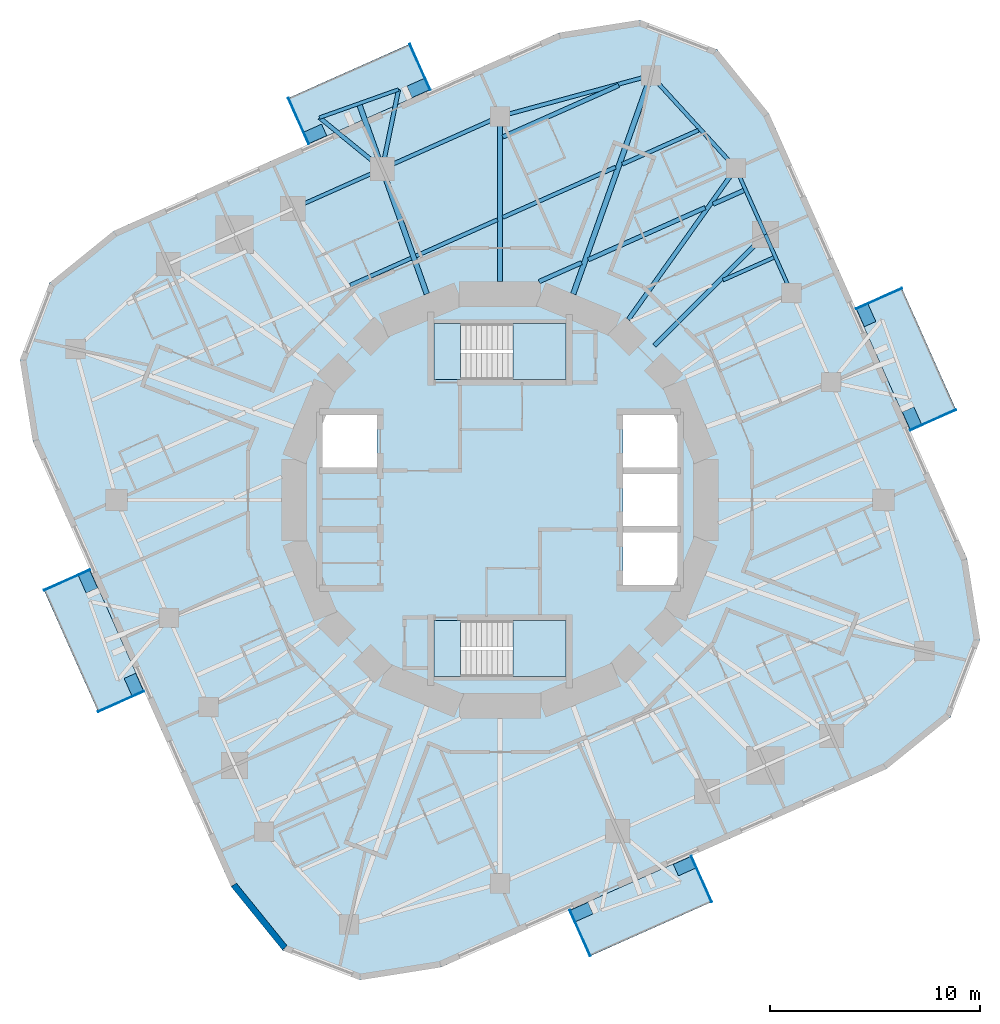
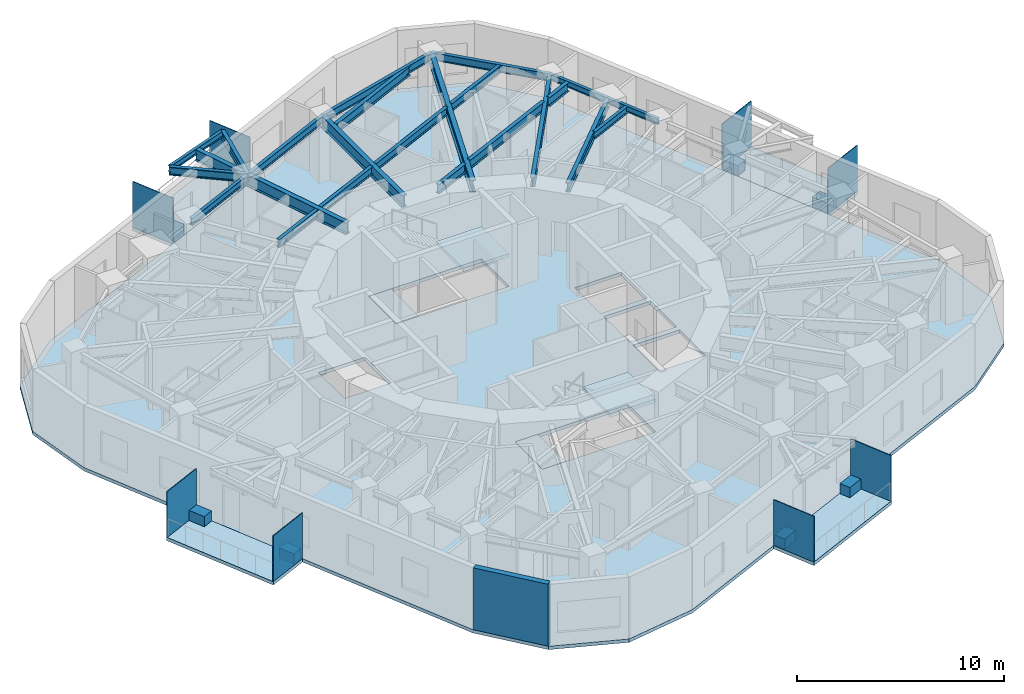
# One storey, part 3 of 12: 23 beams, 16 plates, 9 slabs, 1 wall, 2 elements without a shape of their own.
"""IFC4 building model written with IfcOpenShell, lengths in metres."""

import ifcopenshell
import ifcopenshell.guid

model = None  # the IFC model being written
_history = None  # IfcOwnerHistory: only IFC2X3 demands one
_inside = {}  # id of a spatial element -> (the spatial element, [elements in it])
_under = {}  # id of a project, library or spatial element -> (it, [spatial elements below it])
_declared = {}  # id of a project -> (the project, [libraries it declares])
_typed = {}  # id of a type object -> (the type object, [elements of that type])
_made_of = {}  # id of a material, layer set ... -> (it, [elements and type objects made of it])


def new_model(schema):
    """Start an empty IFC model of exactly this schema.

    Asked for "IFC4X3", IfcOpenShell would pick the latest addendum, in which some entities
    have other attributes; the version numbers below select the first issue.
    IFC2X3 requires an IfcOwnerHistory on every rooted entity: one is made here for all.
    """
    global model, _history
    if schema == "IFC4X3":
        model = ifcopenshell.file(schema_version=(4, 3, 0, 0))
    else:
        model = ifcopenshell.file(schema=schema)
    _inside.clear()
    _under.clear()
    _declared.clear()
    _typed.clear()
    _made_of.clear()
    _history = None
    if model.schema == "IFC2X3":
        org = make("IfcOrganization", Name="unknown")
        user = make(
            "IfcPersonAndOrganization",
            ThePerson=make("IfcPerson", FamilyName="unknown"),
            TheOrganization=org,
        )
        app = make(
            "IfcApplication",
            ApplicationDeveloper=org,
            Version="unknown",
            ApplicationFullName="unknown",
            ApplicationIdentifier="unknown",
        )
        _history = make(
            "IfcOwnerHistory",
            OwningUser=user,
            OwningApplication=app,
            ChangeAction="ADDED",
            CreationDate=0,
        )
    return model


def make(cls, **values):
    """One entity of the class cls with the attributes given. An attribute that is None is left unset."""
    return model.create_entity(
        cls, **{name: value for name, value in values.items() if value is not None}
    )


def rooted(cls, **values):
    """An entity with a GlobalId (a new one), such as an element, a storey or a relation."""
    return make(cls, GlobalId=ifcopenshell.guid.new(), OwnerHistory=_history, **values)


def si_unit(unit_type, name, prefix=None):
    """IfcSIUnit, for example si_unit("LENGTHUNIT", "METRE", prefix="MILLI")."""
    return make("IfcSIUnit", UnitType=unit_type, Prefix=prefix, Name=name)


def assignment(units):
    """IfcUnitAssignment: the units of a project."""
    return None if units is None else make("IfcUnitAssignment", Units=units)


def point(xyz):
    """IfcCartesianPoint."""
    return None if xyz is None else make("IfcCartesianPoint", Coordinates=xyz)


def direction(xyz):
    """IfcDirection."""
    return None if xyz is None else make("IfcDirection", DirectionRatios=xyz)


def frame(location, z_axis=None, x_axis=None):
    """IfcAxis2Placement3D, a coordinate frame: its origin and axes. An axis left out is left unset."""
    return make(
        "IfcAxis2Placement3D",
        Location=point(location),
        Axis=direction(z_axis),
        RefDirection=direction(x_axis),
    )


def frame_2d(location, x_axis=None):
    """IfcAxis2Placement2D, a coordinate frame in the plane: its origin and x axis."""
    return make(
        "IfcAxis2Placement2D", Location=point(location), RefDirection=direction(x_axis)
    )


def origin():
    """The frame at (0, 0, 0) with its axes left unset."""
    return frame((0.0, 0.0, 0.0))


def origin_2d():
    """The frame at (0, 0) in the plane with its x axis left unset."""
    return frame_2d((0.0, 0.0))


def place(relative_to, where):
    """IfcLocalPlacement: puts the frame where relative to a parent placement (None: the world)."""
    return make(
        "IfcLocalPlacement", PlacementRelTo=relative_to, RelativePlacement=where
    )


def context(
    kind, dimensions, precision=None, world=None, true_north=None, identifier=None
):
    """IfcGeometricRepresentationContext, for example the 3D "Model" context."""
    return make(
        "IfcGeometricRepresentationContext",
        ContextIdentifier=identifier,
        ContextType=kind,
        CoordinateSpaceDimension=dimensions,
        Precision=precision,
        WorldCoordinateSystem=world,
        TrueNorth=true_north,
    )


def subcontext(parent, identifier, kind, view, scale=None):
    """IfcGeometricRepresentationSubContext, for example "Body" below "Model"."""
    return make(
        "IfcGeometricRepresentationSubContext",
        ContextIdentifier=identifier,
        ContextType=kind,
        ParentContext=parent,
        TargetScale=scale,
        TargetView=view,
    )


def project(units=None, contexts=None):
    """IfcProject with its units and contexts."""
    return rooted(
        "IfcProject",
        Name="project",
        RepresentationContexts=contexts,
        UnitsInContext=assignment(units),
    )


def spatial(cls, under=None, at=None, **own):
    """A site, building, storey or space (cls), placed at a placement, below another one or the project."""
    s = rooted(cls, ObjectPlacement=at, **own)
    if under is not None:
        _under.setdefault(under.id(), (under, []))[1].append(s)
    return s


def polyline(points):
    """IfcPolyline through the points."""
    return make("IfcPolyline", Points=[point(p) for p in points])


def profile(cls, at=None, kind="AREA", **sizes):
    """A parametric profile (cls). Its sizes go by their IFC names, for example OverallWidth=200.0."""
    return make(cls, ProfileType=kind, Position=at, **sizes)


def rectangle(**sizes):
    """IfcRectangleProfileDef."""
    return profile("IfcRectangleProfileDef", **sizes)


def i_section(**sizes):
    """IfcIShapeProfileDef."""
    return profile("IfcIShapeProfileDef", **sizes)


def outline(outer, holes=None, kind="AREA"):
    """IfcArbitraryClosedProfileDef: a profile drawn as a closed curve; with holes, ...WithVoids."""
    if holes is None:
        return make("IfcArbitraryClosedProfileDef", ProfileType=kind, OuterCurve=outer)
    return make(
        "IfcArbitraryProfileDefWithVoids",
        ProfileType=kind,
        OuterCurve=outer,
        InnerCurves=holes,
    )


def extrude(swept, where, along, depth):
    """IfcExtrudedAreaSolid: the profile swept, set in the frame where, extruded along a direction by depth."""
    return make(
        "IfcExtrudedAreaSolid",
        SweptArea=swept,
        Position=where,
        ExtrudedDirection=direction(along),
        Depth=depth,
    )


def shape(context_of_items, identifier, shape_type, items):
    """IfcShapeRepresentation: the items that make up one representation, for example the "Body"."""
    return make(
        "IfcShapeRepresentation",
        ContextOfItems=context_of_items,
        RepresentationIdentifier=identifier,
        RepresentationType=shape_type,
        Items=items,
    )


def material(Name=None, Category=None):
    """IfcMaterial."""
    return make("IfcMaterial", Name=Name, Category=Category)


def layer(
    of_material, thickness, ventilated=None, Name=None, Category=None, Priority=None
):
    """IfcMaterialLayer: one layer of a wall or slab, of a material (None: an air gap)."""
    return make(
        "IfcMaterialLayer",
        Material=of_material,
        LayerThickness=thickness,
        IsVentilated=ventilated,
        Name=Name,
        Category=Category,
        Priority=Priority,
    )


def layer_set(layers, Name=None):
    """IfcMaterialLayerSet."""
    return make("IfcMaterialLayerSet", MaterialLayers=layers, LayerSetName=Name)


def material_profile(
    of_material, cross_section, Name=None, Category=None, Priority=None
):
    """IfcMaterialProfile: a cross section and its material."""
    return make(
        "IfcMaterialProfile",
        Name=Name,
        Material=of_material,
        Profile=cross_section,
        Priority=Priority,
        Category=Category,
    )


def profile_set(profiles, Name=None, composite=None):
    """IfcMaterialProfileSet."""
    return make(
        "IfcMaterialProfileSet",
        Name=Name,
        MaterialProfiles=profiles,
        CompositeProfile=composite,
    )


def made_of(thing, what):
    """Note that an element or type object is made of a material, layer set ...; save() writes the relation."""
    if what is not None:
        _made_of.setdefault(what.id(), (what, []))[1].append(thing)
    return thing


def type_object(cls, material=None, **own):
    """A type object (cls), such as IfcWallType, which elements share."""
    return made_of(rooted(cls, **own), material)


def element(
    cls,
    number,
    at=None,
    inside=None,
    cuts=None,
    type_object=None,
    material=None,
    context=None,
    identifier="Body",
    shape_type=None,
    held_by="IfcProductDefinitionShape",
    body=None,
    shapes=None,
    **own,
):
    """One element of the class cls, such as IfcWall. Its Tag is "e" and its number.

    at: its placement. inside: the storey or other place that contains it. cuts: it is an
    opening in that element (IfcRelVoidsElement). A single representation is given by context,
    identifier, shape_type and body (its items); several are given by shapes. held_by: the class
    of the entity that holds the representations. save() writes the other relations.
    """
    e = rooted(cls, Tag="e%d" % number, ObjectPlacement=at, **own)
    if body is not None:
        shapes = [shape(context, identifier, shape_type, body)]
    if shapes is not None:
        e.Representation = make(held_by, Representations=shapes)
    if inside is not None:
        _inside.setdefault(inside.id(), (inside, []))[1].append(e)
    if cuts is not None:
        rooted(
            "IfcRelVoidsElement", RelatingBuildingElement=cuts, RelatedOpeningElement=e
        )
    if type_object is not None:
        _typed.setdefault(type_object.id(), (type_object, []))[1].append(e)
    return made_of(e, material)


def aggregate(whole, parts):
    """IfcRelAggregates: a whole, such as a stair, and the parts it consists of."""
    return rooted("IfcRelAggregates", RelatingObject=whole, RelatedObjects=parts)


def save(model, path):
    """Write the relations noted so far, then the file.

    IfcRelAggregates (storeys below a building ...), IfcRelContainedInSpatialStructure (elements
    in a storey), IfcRelDefinesByType, IfcRelAssociatesMaterial and IfcRelDeclares: one each for
    every whole, place, type object, material and project.
    """
    for whole, parts in _under.values():
        aggregate(whole, parts)
    for where, things in _inside.values():
        rooted(
            "IfcRelContainedInSpatialStructure",
            RelatedElements=things,
            RelatingStructure=where,
        )
    for kind, things in _typed.values():
        rooted("IfcRelDefinesByType", RelatedObjects=things, RelatingType=kind)
    for what, things in _made_of.values():
        rooted("IfcRelAssociatesMaterial", RelatedObjects=things, RelatingMaterial=what)
    for by, libraries in _declared.values():
        rooted("IfcRelDeclares", RelatingContext=by, RelatedDefinitions=libraries)
    model.write(path)


model = new_model("IFC4")

# Units and contexts
model_context = context("Model", 3, precision=1e-05, world=origin(), true_north=direction((0.0, 1.0)))
body_context = subcontext(model_context, "Body", "Model", "MODEL_VIEW")
ifc_project = project(units=[si_unit("LENGTHUNIT", "METRE"), si_unit("AREAUNIT", "SQUARE_METRE"), si_unit("VOLUMEUNIT", "CUBIC_METRE"), si_unit("PLANEANGLEUNIT", "RADIAN"), si_unit("MASSUNIT", "GRAM", prefix="KILO")], contexts=[model_context])

# Site, building, storey
site_placement = place(None, origin())
site = spatial("IfcSite", under=ifc_project, at=site_placement, CompositionType="ELEMENT")
building_placement = place(site_placement, origin())
building = spatial("IfcBuilding", under=site, at=building_placement, Name="Nakasero Lantern House", CompositionType="ELEMENT")
storey_placement = place(building_placement, frame((0.0, 0.0, 205.550048828125)))
storey = spatial("IfcBuildingStorey", under=building, at=storey_placement, Name="L50", CompositionType="ELEMENT", Elevation=205.550048828125)

# Beams
ifc_material_1 = material(Name="Steel S355", Category="steel")
ifc_material_profile_1 = material_profile(ifc_material_1, i_section(OverallWidth=0.199462890625, OverallDepth=0.491943359375, WebThickness=0.01806640625, FlangeThickness=0.031982421875, FilletRadius=0.01025390625, at=origin_2d()), Name="UB 457x191x161")
ifc_profile_set_1 = profile_set([ifc_material_profile_1], Name="Steel S355")
beam_type_1 = type_object("IfcBeamType", Name="Balcony splay beam UB 457x191x161", PredefinedType="BEAM", material=ifc_profile_set_1)
beam_1_placement = place(storey_placement, frame((-5.611328125, 15.781982421875, 3.404052734375), z_axis=(-0.774833215206, 0.632165712937, 0.0), x_axis=(-0.632165712937, -0.774833215206, 0.0)))
element("IfcBeam", 1, at=beam_1_placement, inside=storey, type_object=beam_type_1, Name="Balcony splay beam L51 B5-C10A", PredefinedType="BEAM", context=body_context, shape_type="SweptSolid", body=[
    extrude(i_section(OverallWidth=0.199462890625, OverallDepth=0.491943359375, WebThickness=0.01806640625, FlangeThickness=0.031982421875, FilletRadius=0.01025390625, at=origin_2d()), origin(), (0.0, 0.0, 1.0), 3.85888671875),
])
beam_2_placement = place(storey_placement, frame((-5.611328125, 15.781982421875, 3.404052734375), z_axis=(0.201831438605, 0.979420272605, 0.0), x_axis=(-0.979420272605, 0.201831438605, 0.0)))
element("IfcBeam", 2, at=beam_2_placement, inside=storey, type_object=beam_type_1, Name="Balcony splay beam L51 B5-C10B", PredefinedType="BEAM", context=body_context, shape_type="SweptSolid", body=[
    extrude(i_section(OverallWidth=0.199462890625, OverallDepth=0.491943359375, WebThickness=0.01806640625, FlangeThickness=0.031982421875, FilletRadius=0.01025390625, at=origin_2d()), origin(), (0.0, 0.0, 1.0), 3.858642578125),
])
ifc_material_2 = material(Name="Steel S355", Category="steel")
ifc_material_profile_2 = material_profile(ifc_material_2, i_section(OverallWidth=0.17138671875, OverallDepth=0.35498046875, WebThickness=0.00732421875, FlangeThickness=0.011474609375, FilletRadius=0.01025390625, at=origin_2d()), Name="UB 356x171x51")
ifc_profile_set_2 = profile_set([ifc_material_profile_2], Name="Steel S355")
beam_type_2 = type_object("IfcBeamType", Name="Balcony tie beam UB 356x171x51", PredefinedType="BEAM", material=ifc_profile_set_2)
beam_3_placement = place(storey_placement, frame((-8.601318359375, 18.221435546875, 3.472412109375), z_axis=(0.94222839004, 0.334971134582, 0.0), x_axis=(-0.334971134582, 0.94222839004, 0.0)))
element("IfcBeam", 3, at=beam_3_placement, inside=storey, type_object=beam_type_2, Name="Balcony tie beam L51 B5-C10", PredefinedType="BEAM", context=body_context, shape_type="SweptSolid", body=[
    extrude(i_section(OverallWidth=0.17138671875, OverallDepth=0.35498046875, WebThickness=0.00732421875, FlangeThickness=0.011474609375, FilletRadius=0.01025390625, at=origin_2d()), origin(), (0.0, 0.0, 1.0), 4.0),
])
ifc_material_3 = material(Name="Steel S355", Category="steel")
ifc_material_profile_3 = material_profile(ifc_material_3, i_section(OverallWidth=0.177978515625, OverallDepth=0.406494140625, WebThickness=0.0078125, FlangeThickness=0.0126953125, FilletRadius=0.01025390625, at=origin_2d()), Name="UB 406x178x60")
ifc_profile_set_3 = profile_set([ifc_material_profile_3], Name="Steel S355")
beam_type_3 = type_object("IfcBeamType", Name="Infill beam UB 406x178x60", PredefinedType="JOIST", material=ifc_profile_set_3)
beam_4_placement = place(storey_placement, frame((10.626708984375, 10.47802734375, 3.44677734375), z_axis=(0.913529602849, 0.406772251658, 0.0), x_axis=(-0.406772251658, 0.913529602849, 0.0)))
element("IfcBeam", 4, at=beam_4_placement, inside=storey, type_object=beam_type_3, Name="Infill beam L51 09.4", PredefinedType="JOIST", context=body_context, shape_type="SweptSolid", body=[
    extrude(i_section(OverallWidth=0.177978515625, OverallDepth=0.406494140625, WebThickness=0.0078125, FlangeThickness=0.0126953125, FilletRadius=0.01025390625, at=origin_2d()), origin(), (0.0, 0.0, 1.0), 2.64453125),
])
ifc_material_4 = material(Name="Steel S355", Category="steel")
ifc_material_profile_4 = material_profile(ifc_material_4, i_section(OverallWidth=0.18994140625, OverallDepth=0.453369140625, WebThickness=0.008544921875, FlangeThickness=0.0126953125, FilletRadius=0.01025390625, at=origin_2d()), Name="UB 457x191x67")
ifc_profile_set_4 = profile_set([ifc_material_profile_4], Name="Steel S355")
beam_type_4 = type_object("IfcBeamType", Name="Infill beam UB 457x191x67", PredefinedType="JOIST", material=ifc_profile_set_4)
beam_5_placement = place(storey_placement, frame((-7.1357421875, 10.232177734375, 3.42333984375), z_axis=(0.913535738899, 0.406758471029, 0.0), x_axis=(-0.406758471029, 0.913535738899, 0.0)))
element("IfcBeam", 5, at=beam_5_placement, inside=storey, type_object=beam_type_4, Name="Infill beam L51 11.5", PredefinedType="JOIST", context=body_context, shape_type="SweptSolid", body=[
    extrude(i_section(OverallWidth=0.18994140625, OverallDepth=0.453369140625, WebThickness=0.008544921875, FlangeThickness=0.0126953125, FilletRadius=0.01025390625, at=origin_2d()), origin(), (0.0, 0.0, 1.0), 3.17822265625),
])
beam_6_placement = place(storey_placement, frame((-4.0, 11.62841796875, 3.42333984375), z_axis=(0.913547765637, 0.406731459196, 0.0), x_axis=(-0.406731459196, 0.913547765637, 0.0)))
element("IfcBeam", 6, at=beam_6_placement, inside=storey, type_object=beam_type_4, Name="Infill beam L51 11.6", PredefinedType="JOIST", context=body_context, shape_type="SweptSolid", body=[
    extrude(i_section(OverallWidth=0.18994140625, OverallDepth=0.453369140625, WebThickness=0.008544921875, FlangeThickness=0.0126953125, FilletRadius=0.01025390625, at=origin_2d()), origin(), (0.0, 0.0, 1.0), 4.239501953125),
])
beam_7_placement = place(storey_placement, frame((0.126953125, 13.4658203125, 3.42333984375), z_axis=(0.913539401307, 0.406750245556, 0.0), x_axis=(-0.406750245556, 0.913539401307, 0.0)))
element("IfcBeam", 7, at=beam_7_placement, inside=storey, type_object=beam_type_4, Name="Infill beam L51 11.7", PredefinedType="JOIST", context=body_context, shape_type="SweptSolid", body=[
    extrude(i_section(OverallWidth=0.18994140625, OverallDepth=0.453369140625, WebThickness=0.008544921875, FlangeThickness=0.0126953125, FilletRadius=0.01025390625, at=origin_2d()), origin(), (0.0, 0.0, 1.0), 5.886474609375),
])
beam_8_placement = place(storey_placement, frame((5.824462890625, 16.00244140625, 3.42333984375), z_axis=(0.91354552237, 0.406736497695, 0.0), x_axis=(-0.406736497695, 0.91354552237, 0.0)))
element("IfcBeam", 8, at=beam_8_placement, inside=storey, type_object=beam_type_4, Name="Infill beam L51 11.8", PredefinedType="JOIST", context=body_context, shape_type="SweptSolid", body=[
    extrude(i_section(OverallWidth=0.18994140625, OverallDepth=0.453369140625, WebThickness=0.008544921875, FlangeThickness=0.0126953125, FilletRadius=0.01025390625, at=origin_2d()), origin(), (0.0, 0.0, 1.0), 3.9765625),
])
ifc_material_5 = material(Name="Steel S355", Category="steel")
ifc_material_profile_5 = material_profile(ifc_material_5, i_section(OverallWidth=0.2099609375, OverallDepth=0.53662109375, WebThickness=0.0107421875, FlangeThickness=0.017333984375, FilletRadius=0.0126953125, at=origin_2d()), Name="UB 533x210x101")
ifc_profile_set_5 = profile_set([ifc_material_profile_5], Name="Steel S355")
beam_type_5 = type_object("IfcBeamType", Name="Infill beam UB 533x210x101", PredefinedType="JOIST", material=ifc_profile_set_5)
beam_9_placement = place(storey_placement, frame((0.126953125, 17.297119140625, 3.381591796875), z_axis=(0.913548718281, 0.406729319483, 0.0), x_axis=(-0.406729319483, 0.913548718281, 0.0)))
element("IfcBeam", 9, at=beam_9_placement, inside=storey, type_object=beam_type_5, Name="Infill beam L51 12.3", PredefinedType="JOIST", context=body_context, shape_type="SweptSolid", body=[
    extrude(i_section(OverallWidth=0.2099609375, OverallDepth=0.53662109375, WebThickness=0.0107421875, FlangeThickness=0.017333984375, FilletRadius=0.0126953125, at=origin_2d()), origin(), (0.0, 0.0, 1.0), 6.056640625),
])
ifc_material_6 = material(Name="Steel S355", Category="steel")
ifc_material_profile_6 = material_profile(ifc_material_6, i_section(OverallWidth=0.208740234375, OverallDepth=0.5283203125, WebThickness=0.009521484375, FlangeThickness=0.01318359375, FilletRadius=0.0126953125, at=origin_2d()), Name="UB 533x210x82")
ifc_profile_set_6 = profile_set([ifc_material_profile_6], Name="Steel S355")
beam_type_6 = type_object("IfcBeamType", Name="Infill beam UB 533x210x82", PredefinedType="JOIST", material=ifc_profile_set_6)
beam_10_placement = place(storey_placement, frame((1.86376953125, 10.407958984375, 3.3857421875), z_axis=(0.913538457968, 0.406752364238, 0.0), x_axis=(-0.406752364238, 0.913538457968, 0.0)))
element("IfcBeam", 10, at=beam_10_placement, inside=storey, type_object=beam_type_6, Name="Infill beam L51 10.3", PredefinedType="JOIST", context=body_context, shape_type="SweptSolid", body=[
    extrude(i_section(OverallWidth=0.208740234375, OverallDepth=0.5283203125, WebThickness=0.009521484375, FlangeThickness=0.01318359375, FilletRadius=0.0126953125, at=origin_2d()), origin(), (0.0, 0.0, 1.0), 2.213623046875),
])
beam_11_placement = place(storey_placement, frame((4.2060546875, 11.45068359375, 3.3857421875), z_axis=(0.913537341067, 0.406754872713, 0.0), x_axis=(-0.406754872713, 0.913537341067, 0.0)))
element("IfcBeam", 11, at=beam_11_placement, inside=storey, type_object=beam_type_6, Name="Infill beam L51 10.4", PredefinedType="JOIST", context=body_context, shape_type="SweptSolid", body=[
    extrude(i_section(OverallWidth=0.208740234375, OverallDepth=0.5283203125, WebThickness=0.009521484375, FlangeThickness=0.01318359375, FilletRadius=0.0126953125, at=origin_2d()), origin(), (0.0, 0.0, 1.0), 6.099365234375),
])
beam_12_placement = place(storey_placement, frame((10.155029296875, 14.099365234375, 3.3857421875), z_axis=(0.913522313414, 0.406788621884, 0.0), x_axis=(-0.406788621884, 0.913522313414, 0.0)))
element("IfcBeam", 12, at=beam_12_placement, inside=storey, type_object=beam_type_6, Name="Infill beam L51 10.5", PredefinedType="JOIST", context=body_context, shape_type="SweptSolid", body=[
    extrude(i_section(OverallWidth=0.208740234375, OverallDepth=0.5283203125, WebThickness=0.009521484375, FlangeThickness=0.01318359375, FilletRadius=0.0126953125, at=origin_2d()), origin(), (0.0, 0.0, 1.0), 1.6025390625),
])
ifc_material_7 = material(Name="Steel S355", Category="steel")
ifc_material_profile_7 = material_profile(ifc_material_7, i_section(OverallWidth=0.2099609375, OverallDepth=0.53662109375, WebThickness=0.0107421875, FlangeThickness=0.017333984375, FilletRadius=0.0126953125, at=origin_2d()), Name="UB 533x210x101")
ifc_profile_set_7 = profile_set([ifc_material_profile_7], Name="Steel S355")
beam_type_7 = type_object("IfcBeamType", Name="Primary beam UB 533x210x101, span 6 to 9 m", PredefinedType="BEAM", material=ifc_profile_set_7)
beam_13_placement = place(storey_placement, frame((12.64892578125, 12.64892578125, 3.381591796875), z_axis=(-0.707106781187, -0.707106781187, 0.0), x_axis=(0.707106781187, -0.707106781187, 0.0)))
element("IfcBeam", 13, at=beam_13_placement, inside=storey, type_object=beam_type_7, Name="Primary beam L51 B5-C06", PredefinedType="BEAM", context=body_context, shape_type="SweptSolid", body=[
    extrude(i_section(OverallWidth=0.2099609375, OverallDepth=0.53662109375, WebThickness=0.0107421875, FlangeThickness=0.017333984375, FilletRadius=0.0126953125, at=origin_2d()), origin(), (0.0, 0.0, 1.0), 7.48046875),
])
beam_14_placement = place(storey_placement, frame((11.241943359375, 15.808837890625, 3.381591796875), z_axis=(-0.579536824926, -0.814946052543, 0.0), x_axis=(0.814946052543, -0.579536824926, 0.0)))
element("IfcBeam", 14, at=beam_14_placement, inside=storey, type_object=beam_type_7, Name="Primary beam L51 B5-C07", PredefinedType="BEAM", context=body_context, shape_type="SweptSolid", body=[
    extrude(i_section(OverallWidth=0.2099609375, OverallDepth=0.53662109375, WebThickness=0.0107421875, FlangeThickness=0.017333984375, FilletRadius=0.0126953125, at=origin_2d()), origin(), (0.0, 0.0, 1.0), 8.84326171875),
])
ifc_material_8 = material(Name="Steel S355", Category="steel")
ifc_material_profile_8 = material_profile(ifc_material_8, i_section(OverallWidth=0.253662109375, OverallDepth=0.68359375, WebThickness=0.012451171875, FlangeThickness=0.01904296875, FilletRadius=0.01513671875, at=origin_2d()), Name="UB 686x254x140")
ifc_profile_set_8 = profile_set([ifc_material_profile_8], Name="Steel S355")
beam_type_8 = type_object("IfcBeamType", Name="Primary beam UB 686x254x140, span 6 to 9 m", PredefinedType="BEAM", material=ifc_profile_set_8)
beam_15_placement = place(storey_placement, frame((0.0, 18.280517578125, 3.30810546875), z_axis=(0.0, -1.0, 0.0), x_axis=(1.0, 0.0, 0.0)))
element("IfcBeam", 15, at=beam_15_placement, inside=storey, type_object=beam_type_8, Name="Primary beam L51 B5-C09", PredefinedType="BEAM", context=body_context, shape_type="SweptSolid", body=[
    extrude(i_section(OverallWidth=0.253662109375, OverallDepth=0.68359375, WebThickness=0.012451171875, FlangeThickness=0.01904296875, FilletRadius=0.01513671875, at=origin_2d()), origin(), (0.0, 0.0, 1.0), 7.87255859375),
])
beam_16_placement = place(storey_placement, frame((-6.717041015625, 18.891357421875, 3.30810546875), z_axis=(0.335030177005, -0.942207397814, 0.0), x_axis=(0.942207397814, 0.335030177005, 0.0)))
element("IfcBeam", 16, at=beam_16_placement, inside=storey, type_object=beam_type_8, Name="Primary beam L51 B5-C10", PredefinedType="BEAM", context=body_context, shape_type="SweptSolid", body=[
    extrude(i_section(OverallWidth=0.253662109375, OverallDepth=0.68359375, WebThickness=0.012451171875, FlangeThickness=0.01904296875, FilletRadius=0.01513671875, at=origin_2d()), origin(), (0.0, 0.0, 1.0), 9.62841796875),
])
ifc_material_9 = material(Name="Steel S355", Category="steel")
ifc_material_profile_9 = material_profile(ifc_material_9, i_section(OverallWidth=0.253662109375, OverallDepth=0.68359375, WebThickness=0.012451171875, FlangeThickness=0.01904296875, FilletRadius=0.01513671875, at=origin_2d()), Name="UB 686x254x140")
ifc_profile_set_9 = profile_set([ifc_material_profile_9], Name="Steel S355")
beam_type_9 = type_object("IfcBeamType", Name="Primary beam UB 686x254x140, span 9 to 12 m", PredefinedType="BEAM", material=ifc_profile_set_9)
beam_17_placement = place(storey_placement, frame((7.19482421875, 20.2353515625, 3.30810546875), z_axis=(-0.335020995468, -0.942210662535, 0.0), x_axis=(0.942210662535, -0.335020995468, 0.0)))
element("IfcBeam", 17, at=beam_17_placement, inside=storey, type_object=beam_type_9, Name="Primary beam L51 B5-C08", PredefinedType="BEAM", context=body_context, shape_type="SweptSolid", body=[
    extrude(i_section(OverallWidth=0.253662109375, OverallDepth=0.68359375, WebThickness=0.012451171875, FlangeThickness=0.01904296875, FilletRadius=0.01513671875, at=origin_2d()), origin(), (0.0, 0.0, 1.0), 11.054931640625),
])
ifc_material_10 = material(Name="Steel S355", Category="steel")
ifc_material_profile_10 = material_profile(ifc_material_10, i_section(OverallWidth=0.17138671875, OverallDepth=0.35498046875, WebThickness=0.00732421875, FlangeThickness=0.011474609375, FilletRadius=0.01025390625, at=origin_2d()), Name="UB 356x171x51")
ifc_profile_set_10 = profile_set([ifc_material_profile_10], Name="Steel S355")
beam_type_10 = type_object("IfcBeamType", Name="Ring beam UB 356x171x51", PredefinedType="BEAM", material=ifc_profile_set_10)
beam_18_placement = place(storey_placement, frame((13.884521484375, 9.87353515625, 3.472412109375), z_axis=(-0.40671251915, 0.913556197925, 0.0), x_axis=(-0.913556197925, -0.40671251915, 0.0)))
element("IfcBeam", 18, at=beam_18_placement, inside=storey, type_object=beam_type_10, Name="Ring beam L51 B5-C05", PredefinedType="BEAM", context=body_context, shape_type="SweptSolid", body=[
    extrude(i_section(OverallWidth=0.17138671875, OverallDepth=0.35498046875, WebThickness=0.00732421875, FlangeThickness=0.011474609375, FilletRadius=0.01025390625, at=origin_2d()), origin(), (0.0, 0.0, 1.0), 3.0380859375),
])
beam_19_placement = place(storey_placement, frame((12.64892578125, 12.64892578125, 3.472412109375), z_axis=(-0.406760506795, 0.913534832457, 0.0), x_axis=(-0.913534832457, -0.406760506795, 0.0)))
element("IfcBeam", 19, at=beam_19_placement, inside=storey, type_object=beam_type_10, Name="Ring beam L51 B5-C06", PredefinedType="BEAM", context=body_context, shape_type="SweptSolid", body=[
    extrude(i_section(OverallWidth=0.17138671875, OverallDepth=0.35498046875, WebThickness=0.00732421875, FlangeThickness=0.011474609375, FilletRadius=0.01025390625, at=origin_2d()), origin(), (0.0, 0.0, 1.0), 3.458984375),
])
ifc_material_11 = material(Name="Steel S355", Category="steel")
ifc_material_profile_11 = material_profile(ifc_material_11, i_section(OverallWidth=0.177978515625, OverallDepth=0.406494140625, WebThickness=0.0078125, FlangeThickness=0.0126953125, FilletRadius=0.01025390625, at=origin_2d()), Name="UB 406x178x60")
ifc_profile_set_11 = profile_set([ifc_material_profile_11], Name="Steel S355")
beam_type_11 = type_object("IfcBeamType", Name="Ring beam UB 406x178x60", PredefinedType="BEAM", material=ifc_profile_set_11)
beam_20_placement = place(storey_placement, frame((-5.611328125, 15.781982421875, 3.44677734375), z_axis=(-0.913561058639, -0.406701600856, 0.0), x_axis=(0.406701600856, -0.913561058639, 0.0)))
element("IfcBeam", 20, at=beam_20_placement, inside=storey, type_object=beam_type_11, Name="Ring beam L51 B5-C10", PredefinedType="BEAM", context=body_context, shape_type="SweptSolid", body=[
    extrude(i_section(OverallWidth=0.177978515625, OverallDepth=0.406494140625, WebThickness=0.0078125, FlangeThickness=0.0126953125, FilletRadius=0.01025390625, at=origin_2d()), origin(), (0.0, 0.0, 1.0), 4.66552734375),
])
ifc_material_12 = material(Name="Steel S355", Category="steel")
ifc_material_profile_12 = material_profile(ifc_material_12, i_section(OverallWidth=0.18994140625, OverallDepth=0.453369140625, WebThickness=0.008544921875, FlangeThickness=0.0126953125, FilletRadius=0.01025390625, at=origin_2d()), Name="UB 457x191x67")
ifc_profile_set_12 = profile_set([ifc_material_profile_12], Name="Steel S355")
beam_type_12 = type_object("IfcBeamType", Name="Ring beam UB 457x191x67", PredefinedType="BEAM", material=ifc_profile_set_12)
beam_21_placement = place(storey_placement, frame((11.241943359375, 15.808837890625, 3.42333984375), z_axis=(-0.674771099966, 0.73802707447, 0.0), x_axis=(-0.73802707447, -0.674771099966, 0.0)))
element("IfcBeam", 21, at=beam_21_placement, inside=storey, type_object=beam_type_12, Name="Ring beam L51 B5-C07", PredefinedType="BEAM", context=body_context, shape_type="SweptSolid", body=[
    extrude(i_section(OverallWidth=0.18994140625, OverallDepth=0.453369140625, WebThickness=0.008544921875, FlangeThickness=0.0126953125, FilletRadius=0.01025390625, at=origin_2d()), origin(), (0.0, 0.0, 1.0), 5.997802734375),
])
beam_22_placement = place(storey_placement, frame((7.19482421875, 20.2353515625, 3.42333984375), z_axis=(-0.965015017941, -0.26219461312, 0.0), x_axis=(0.26219461312, -0.965015017941, 0.0)))
element("IfcBeam", 22, at=beam_22_placement, inside=storey, type_object=beam_type_12, Name="Ring beam L51 B5-C08", PredefinedType="BEAM", context=body_context, shape_type="SweptSolid", body=[
    extrude(i_section(OverallWidth=0.18994140625, OverallDepth=0.453369140625, WebThickness=0.008544921875, FlangeThickness=0.0126953125, FilletRadius=0.01025390625, at=origin_2d()), origin(), (0.0, 0.0, 1.0), 7.45556640625),
])
ifc_material_13 = material(Name="Steel S355", Category="steel")
ifc_material_profile_13 = material_profile(ifc_material_13, i_section(OverallWidth=0.19140625, OverallDepth=0.4599609375, WebThickness=0.010009765625, FlangeThickness=0.01611328125, FilletRadius=0.01025390625, at=origin_2d()), Name="UB 457x191x82")
ifc_profile_set_13 = profile_set([ifc_material_profile_13], Name="Steel S355")
beam_type_13 = type_object("IfcBeamType", Name="Ring beam UB 457x191x82", PredefinedType="BEAM", material=ifc_profile_set_13)
beam_23_placement = place(storey_placement, frame((0.0, 18.280517578125, 3.419921875), z_axis=(-0.913532698569, -0.406765299215, 0.0), x_axis=(0.406765299215, -0.913532698569, 0.0)))
element("IfcBeam", 23, at=beam_23_placement, inside=storey, type_object=beam_type_13, Name="Ring beam L51 B5-C09", PredefinedType="BEAM", context=body_context, shape_type="SweptSolid", body=[
    extrude(i_section(OverallWidth=0.19140625, OverallDepth=0.4599609375, WebThickness=0.010009765625, FlangeThickness=0.01611328125, FilletRadius=0.01025390625, at=origin_2d()), origin(), (0.0, 0.0, 1.0), 6.142333984375),
])

# Plates
ifc_material_14 = material(Name="Aluminium 6063-T6", Category="aluminium")
ifc_layer_1 = layer(ifc_material_14, 0.60009765625)
ifc_layer_set_1 = layer_set([ifc_layer_1], Name="Balcony planter 600x900")
plate_type_1 = type_object("IfcPlateType", Name="Balcony planter 600x900", PredefinedType="USERDEFINED", material=ifc_layer_set_1)
for number, where, z_axis, x_axis, name in (
    (24, (19.629638671875, 3.90283203125, 0.0), (0.0, 0.0, 1.0), (0.913545457643, 0.406736643076, 0.0), "Balcony PLANTER L50 BAL0A"),
    (25, (17.452880859375, 8.791748046875, 0.0), (0.0, 0.0, 1.0), (0.913545457643, 0.406736643076, 0.0), "Balcony PLANTER L50 BAL0B"),
    (26, (-3.90283203125, 19.629638671875, 0.0), (0.0, 0.0, 1.0), (-0.406736643076, 0.913545457643, 0.0), "Balcony PLANTER L50 BAL1A"),
    (27, (-8.791748046875, 17.452880859375, 0.0), (0.0, 0.0, 1.0), (-0.406736643076, 0.913545457643, 0.0), "Balcony PLANTER L50 BAL1B"),
    (28, (-19.629638671875, -3.90283203125, 0.0), (0.0, 0.0, 1.0), (-0.913545457643, -0.406736643076, 0.0), "Balcony PLANTER L50 BAL2A"),
    (29, (-17.452880859375, -8.791748046875, 0.0), (0.0, 0.0, 1.0), (-0.913545457643, -0.406736643076, 0.0), "Balcony PLANTER L50 BAL2B"),
    (30, (3.90283203125, -19.629638671875, 0.0), (0.0, 0.0, 1.0), (0.406736643076, -0.913545457643, 0.0), "Balcony PLANTER L50 BAL3A"),
    (31, (8.791748046875, -17.452880859375, 0.0), (0.0, 0.0, 1.0), (0.406736643076, -0.913545457643, 0.0), "Balcony PLANTER L50 BAL3B"),
):
    element("IfcPlate", number, at=place(storey_placement, frame(where, z_axis=z_axis, x_axis=x_axis)), inside=storey, type_object=plate_type_1, Name=name, ObjectType="PLANTER", PredefinedType="USERDEFINED", context=body_context, shape_type="SweptSolid", body=[
        extrude(rectangle(XDim=0.60009765625, YDim=0.89990234375, at=origin_2d()), origin(), (0.0, 0.0, 1.0), 0.60009765625),
    ])
ifc_material_15 = material(Name="Aluminium 6063-T6", Category="aluminium")
ifc_layer_2 = layer(ifc_material_15, 0.0400390625)
ifc_layer_set_2 = layer_set([ifc_layer_2], Name="Balcony screen 2400x2700")
plate_type_2 = type_object("IfcPlateType", Name="Balcony screen 2400x2700", PredefinedType="SHEET", material=ifc_layer_set_2)
for number, where, z_axis, x_axis, name in (
    (32, (20.6328125, 3.813232421875, 0.0), (0.0, 0.0, 1.0), (0.913545457643, 0.406736643076, 0.0), "Balcony SCREEN L50 BAL0A"),
    (33, (18.0576171875, 9.59716796875, 0.0), (0.0, 0.0, 1.0), (0.913545457643, 0.406736643076, 0.0), "Balcony SCREEN L50 BAL0B"),
    (34, (-3.813232421875, 20.6328125, 0.0), (0.0, 0.0, 1.0), (-0.406736643076, 0.913545457643, 0.0), "Balcony SCREEN L50 BAL1A"),
    (35, (-9.59716796875, 18.0576171875, 0.0), (0.0, 0.0, 1.0), (-0.406736643076, 0.913545457643, 0.0), "Balcony SCREEN L50 BAL1B"),
    (36, (-20.6328125, -3.813232421875, 0.0), (0.0, 0.0, 1.0), (-0.913545457643, -0.406736643076, 0.0), "Balcony SCREEN L50 BAL2A"),
    (37, (-18.0576171875, -9.59716796875, 0.0), (0.0, 0.0, 1.0), (-0.913545457643, -0.406736643076, 0.0), "Balcony SCREEN L50 BAL2B"),
    (38, (3.813232421875, -20.6328125, 0.0), (0.0, 0.0, 1.0), (0.406736643076, -0.913545457643, 0.0), "Balcony SCREEN L50 BAL3A"),
    (39, (9.59716796875, -18.0576171875, 0.0), (0.0, 0.0, 1.0), (0.406736643076, -0.913545457643, 0.0), "Balcony SCREEN L50 BAL3B"),
):
    element("IfcPlate", number, at=place(storey_placement, frame(where, z_axis=z_axis, x_axis=x_axis)), inside=storey, type_object=plate_type_2, Name=name, PredefinedType="SHEET", context=body_context, shape_type="SweptSolid", body=[
        extrude(rectangle(XDim=2.39990234375, YDim=0.0400390625, at=origin_2d()), origin(), (0.0, 0.0, 1.0), 2.699951171875),
    ])

# Slabs
ifc_material_16 = material(Name="Concrete C35/45", Category="concrete")
ifc_layer_3 = layer(ifc_material_16, 0.199951171875)
ifc_layer_set_3 = layer_set([ifc_layer_3], Name="Balcony slab 200")
slab_type_1 = type_object("IfcSlabType", Name="Balcony slab 200", PredefinedType="USERDEFINED", material=ifc_layer_set_3)
slab_1_placement = place(storey_placement, frame((0.0, 0.0, -0.199951171875)))
element("IfcSlab", 40, at=slab_1_placement, inside=storey, type_object=slab_type_1, Name="Balcony L50 BAL0", ObjectType="BALCONY", PredefinedType="USERDEFINED", context=body_context, shape_type="SweptSolid", body=[
    extrude(outline(polyline([(19.544677734375, 3.306884765625), (21.7373046875, 4.282958984375), (19.145751953125, 10.103515625), (16.953125, 9.12744140625), (19.544677734375, 3.306884765625)])), origin(), (0.0, 0.0, 1.0), 0.199951171875),
])
slab_2_placement = place(storey_placement, frame((0.0, 0.0, -0.199951171875)))
element("IfcSlab", 41, at=slab_2_placement, inside=storey, type_object=slab_type_1, Name="Balcony L50 BAL1", ObjectType="BALCONY", PredefinedType="USERDEFINED", context=body_context, shape_type="SweptSolid", body=[
    extrude(outline(polyline([(-3.306884765625, 19.544677734375), (-4.282958984375, 21.7373046875), (-10.103515625, 19.145751953125), (-9.12744140625, 16.953125), (-3.306884765625, 19.544677734375)])), origin(), (0.0, 0.0, 1.0), 0.199951171875),
])
slab_3_placement = place(storey_placement, frame((0.0, 0.0, -0.199951171875)))
element("IfcSlab", 42, at=slab_3_placement, inside=storey, type_object=slab_type_1, Name="Balcony L50 BAL2", ObjectType="BALCONY", PredefinedType="USERDEFINED", context=body_context, shape_type="SweptSolid", body=[
    extrude(outline(polyline([(-19.544677734375, -3.306884765625), (-21.7373046875, -4.282958984375), (-19.145751953125, -10.103515625), (-16.953125, -9.12744140625), (-19.544677734375, -3.306884765625)])), origin(), (0.0, 0.0, 1.0), 0.199951171875),
])
slab_4_placement = place(storey_placement, frame((0.0, 0.0, -0.199951171875)))
element("IfcSlab", 43, at=slab_4_placement, inside=storey, type_object=slab_type_1, Name="Balcony L50 BAL3", ObjectType="BALCONY", PredefinedType="USERDEFINED", context=body_context, shape_type="SweptSolid", body=[
    extrude(outline(polyline([(3.306884765625, -19.544677734375), (4.282958984375, -21.7373046875), (10.103515625, -19.145751953125), (9.12744140625, -16.953125), (3.306884765625, -19.544677734375)])), origin(), (0.0, 0.0, 1.0), 0.199951171875),
])
ifc_material_17 = material(Name="Concrete C35/45", Category="concrete")
ifc_layer_4 = layer(ifc_material_17, 0.199951171875)
ifc_layer_set_4 = layer_set([ifc_layer_4], Name="Composite floor slab 200")
slab_type_2 = type_object("IfcSlabType", Name="Composite floor slab 200", PredefinedType="FLOOR", material=ifc_layer_set_4)
slab_5_placement = place(storey_placement, frame((0.0, 0.0, -0.199951171875)))
element("IfcSlab", 44, at=slab_5_placement, inside=storey, type_object=slab_type_2, Name="Floor slab L50", PredefinedType="FLOOR", context=body_context, shape_type="SweptSolid", body=[
    extrude(outline(polyline([(12.822021484375, 18.406494140625), (10.34619140625, 21.4638671875), (6.67333984375, 22.87353515625), (2.787841796875, 22.25830078125), (-18.406494140625, 12.822021484375), (-21.4638671875, 10.34619140625), (-22.87353515625, 6.67333984375), (-22.25830078125, 2.787841796875), (-12.822021484375, -18.406494140625), (-10.34619140625, -21.4638671875), (-6.67333984375, -22.87353515625), (-2.787841796875, -22.25830078125), (18.406494140625, -12.822021484375), (21.4638671875, -10.34619140625), (22.87353515625, -6.67333984375), (22.25830078125, -2.787841796875), (12.822021484375, 18.406494140625)]), holes=[polyline([(-8.449951171875, 1.550048828125), (-5.85009765625, 1.550048828125), (-5.85009765625, 4.050048828125), (-8.449951171875, 4.050048828125), (-8.449951171875, 1.550048828125)]), polyline([(5.85009765625, -4.050048828125), (8.449951171875, -4.050048828125), (8.449951171875, -1.550048828125), (5.85009765625, -1.550048828125), (5.85009765625, -4.050048828125)]), polyline([(5.85009765625, -1.25), (8.449951171875, -1.25), (8.449951171875, 1.25), (5.85009765625, 1.25), (5.85009765625, -1.25)]), polyline([(5.85009765625, 1.550048828125), (8.449951171875, 1.550048828125), (8.449951171875, 4.050048828125), (5.85009765625, 4.050048828125), (5.85009765625, 1.550048828125)]), polyline([(-3.14990234375, 5.75), (3.14990234375, 5.75), (3.14990234375, 8.39990234375), (-3.14990234375, 8.39990234375), (-3.14990234375, 5.75)]), polyline([(-3.14990234375, -8.39990234375), (3.14990234375, -8.39990234375), (3.14990234375, -5.75), (-3.14990234375, -5.75), (-3.14990234375, -8.39990234375)])]), origin(), (0.0, 0.0, 1.0), 0.199951171875),
])

# Stair, slabs
ifc_material_18 = material(Name="Concrete C40/50", Category="concrete")
stair_type_1 = type_object("IfcStairType", Name="Escape stair ST1 22 risers", PredefinedType="HALF_TURN_STAIR", material=ifc_material_18)
stair_1_placement = place(storey_placement, origin())
stair_1 = element("IfcStair", 45, at=stair_1_placement, inside=storey, type_object=stair_type_1, Name="Escape stair ST1 L50", PredefinedType="HALF_TURN_STAIR")
ifc_material_19 = material(Name="Concrete C40/50", Category="concrete")
ifc_layer_5 = layer(ifc_material_19, 0.199951171875)
ifc_layer_set_5 = layer_set([ifc_layer_5], Name="Stair landing 200")
slab_type_3 = type_object("IfcSlabType", Name="Stair landing 200", PredefinedType="LANDING", material=ifc_layer_set_5)
slab_6_placement = place(storey_placement, frame((0.0, 0.0, -0.199951171875)))
slab_6 = element("IfcSlab", 46, at=slab_6_placement, type_object=slab_type_3, Name="ST1 landing 1", PredefinedType="LANDING", context=body_context, shape_type="SweptSolid", body=[
    extrude(outline(polyline([(-3.14990234375, 5.75), (-1.875, 5.75), (-1.875, 8.39990234375), (-3.14990234375, 8.39990234375), (-3.14990234375, 5.75)])), origin(), (0.0, 0.0, 1.0), 0.199951171875),
])
slab_7_placement = place(storey_placement, frame((0.0, 0.0, 1.724853515625)))
slab_7 = element("IfcSlab", 47, at=slab_7_placement, type_object=slab_type_3, Name="ST1 landing 2", PredefinedType="LANDING", context=body_context, shape_type="SweptSolid", body=[
    extrude(outline(polyline([(0.625, 5.75), (3.14990234375, 5.75), (3.14990234375, 8.39990234375), (0.625, 8.39990234375), (0.625, 5.75)])), origin(), (0.0, 0.0, 1.0), 0.2001953125),
])
aggregate(stair_1, [slab_6, slab_7])

ifc_material_20 = material(Name="Concrete C40/50", Category="concrete")
stair_type_2 = type_object("IfcStairType", Name="Escape stair ST2 22 risers", PredefinedType="HALF_TURN_STAIR", material=ifc_material_20)
stair_2_placement = place(storey_placement, origin())
stair_2 = element("IfcStair", 48, at=stair_2_placement, inside=storey, type_object=stair_type_2, Name="Escape stair ST2 L50", PredefinedType="HALF_TURN_STAIR")
slab_8_placement = place(storey_placement, frame((0.0, 0.0, -0.199951171875)))
slab_8 = element("IfcSlab", 49, at=slab_8_placement, type_object=slab_type_3, Name="ST2 landing 1", PredefinedType="LANDING", context=body_context, shape_type="SweptSolid", body=[
    extrude(outline(polyline([(-3.14990234375, -8.39990234375), (-1.875, -8.39990234375), (-1.875, -5.75), (-3.14990234375, -5.75), (-3.14990234375, -8.39990234375)])), origin(), (0.0, 0.0, 1.0), 0.199951171875),
])
slab_9_placement = place(storey_placement, frame((0.0, 0.0, 1.724853515625)))
slab_9 = element("IfcSlab", 50, at=slab_9_placement, type_object=slab_type_3, Name="ST2 landing 2", PredefinedType="LANDING", context=body_context, shape_type="SweptSolid", body=[
    extrude(outline(polyline([(0.625, -8.39990234375), (3.14990234375, -8.39990234375), (3.14990234375, -5.75), (0.625, -5.75), (0.625, -8.39990234375)])), origin(), (0.0, 0.0, 1.0), 0.2001953125),
])
aggregate(stair_2, [slab_8, slab_9])

# Wall
ifc_material_21 = material(Name="Aluminium rainscreen on blockwork", Category="masonry")
ifc_layer_6 = layer(ifc_material_21, 0.300048828125)
ifc_layer_set_6 = layer_set([ifc_layer_6], Name="Facade wall 300")
wall_type = type_object("IfcWallType", Name="Facade wall 300", PredefinedType="SOLIDWALL", material=ifc_layer_set_6)
wall_placement = place(storey_placement, frame((-12.684814453125, -18.345458984375, 0.0), z_axis=(0.0, 0.0, 1.0), x_axis=(0.629285642335, -0.777174099125, 0.0)))
element("IfcWall", 51, at=wall_placement, inside=storey, type_object=wall_type, Name="Facade wall L50 FW2C1", PredefinedType="SOLIDWALL", context=body_context, shape_type="SweptSolid", body=[
    extrude(rectangle(XDim=3.8564453125, YDim=0.300048828125, at=frame_2d((1.92822265625, 0.0))), origin(), (0.0, 0.0, 1.0), 3.64990234375),
])

save(model, "model.ifc")
